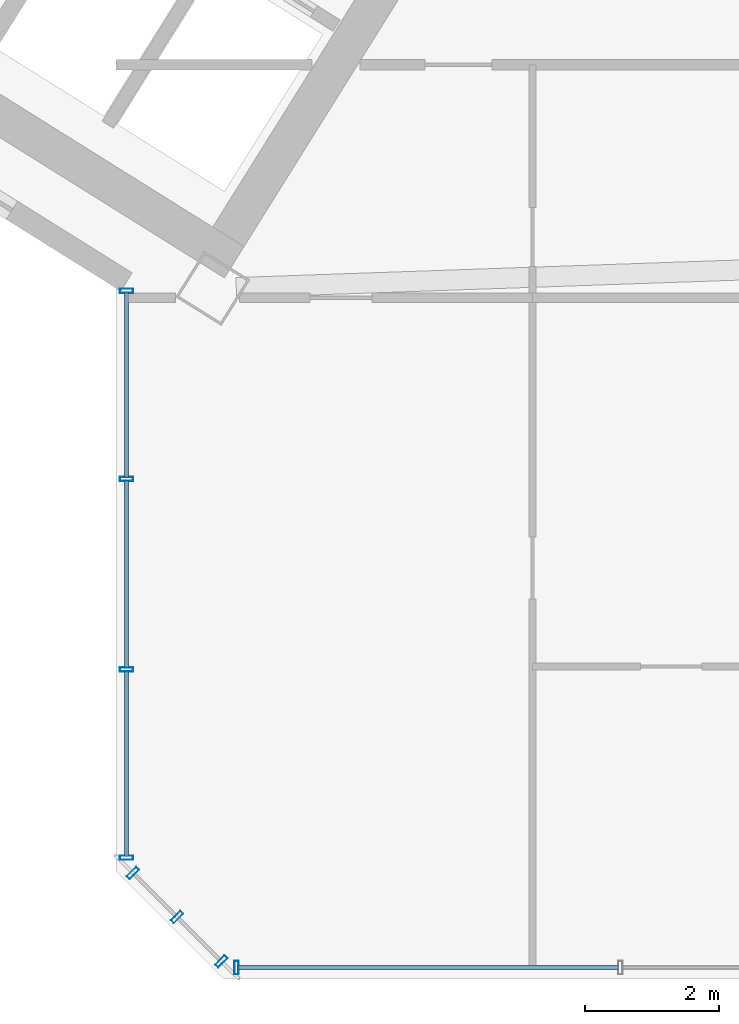
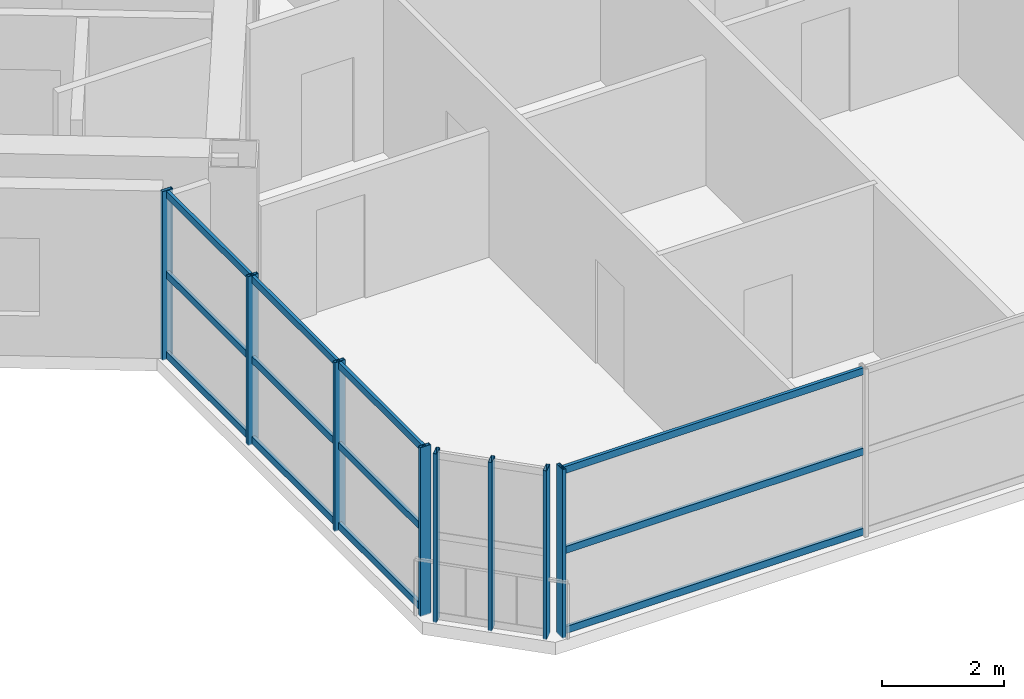
# One storey, part 4 of 20: 20 members, 3 elements without a shape of their own.
"""IFC4 building model written with IfcOpenShell, lengths in metres."""

from ifc_helpers import new_model, si_unit, direction, frame, origin, origin_2d, place, context, subcontext, project, spatial, hollow_rectangle, extrude, source, transform, mapped, material, material_profile, profile_set, type_object, element, aggregate, save


model = new_model("IFC4")

# Units and contexts
model_context = context("Model", 3, precision=1e-05, world=origin(), true_north=direction((0.0, 1.0)))
body_context = subcontext(model_context, "Body", "Model", "MODEL_VIEW")
ifc_project = project(units=[si_unit("LENGTHUNIT", "METRE"), si_unit("AREAUNIT", "SQUARE_METRE"), si_unit("VOLUMEUNIT", "CUBIC_METRE"), si_unit("PLANEANGLEUNIT", "RADIAN"), si_unit("MASSUNIT", "GRAM", prefix="KILO")], contexts=[model_context])

# Site, building, storey
site_placement = place(None, origin())
site = spatial("IfcSite", under=ifc_project, at=site_placement, CompositionType="ELEMENT")
building_placement = place(site_placement, origin())
building = spatial("IfcBuilding", under=site, at=building_placement, Name="Tlacorven Tower", CompositionType="ELEMENT")
storey_placement = place(building_placement, frame((0.0, 0.0, 187.800048828125)))
storey = spatial("IfcBuildingStorey", under=building, at=storey_placement, Name="L47", CompositionType="ELEMENT", Elevation=187.800048828125)

# Curtain wall, member
ifc_material_1 = material(Name="Dark solar low-E double glazing in aluminium frame", Category="aluminium")
curtain_wall_type = type_object("IfcCurtainWallType", Name="CW-TWR-MID", PredefinedType="USERDEFINED", material=ifc_material_1)
curtain_wall_1_placement = place(storey_placement, origin())
curtain_wall_1 = element("IfcCurtainWall", 1, at=curtain_wall_1_placement, inside=storey, type_object=curtain_wall_type, Name="L47 CW-TWR-MID Curtain Wall 217", ObjectType="UNITISED CURTAIN WALL", PredefinedType="USERDEFINED")
ifc_material_2 = material(Name="Aluminium 6063-T6 anodised", Category="aluminium")
ifc_material_profile_1 = material_profile(ifc_material_2, hollow_rectangle(XDim=0.06494140625, YDim=0.199951171875, WallThickness=0.00439453125, at=origin_2d()), Name="ALU MULLION 65X200")
ifc_profile_set_1 = profile_set([ifc_material_profile_1], Name="Aluminium 6063-T6 anodised")
member_type_1 = type_object("IfcMemberType", Name="CWM-02", PredefinedType="MULLION", material=ifc_profile_set_1)
shared_shape_1 = source(origin(), body_context, "Body", "SweptSolid", [
    extrude(hollow_rectangle(XDim=0.06494140625, YDim=0.199951171875, WallThickness=0.00439453125, at=origin_2d()), origin(), (0.0, 0.0, 1.0), 3.3798828125),
])
member_1_placement = place(storey_placement, frame((33.398681640625, 1.9599609375, -0.02001953125), z_axis=(0.0, 0.0, 1.0), x_axis=(-1.0, 0.0, 0.0)))
member_1 = element("IfcMember", 2, at=member_1_placement, type_object=member_type_1, Name="CW-L47-217 Mullion 4", PredefinedType="MULLION", context=body_context, shape_type="MappedRepresentation", body=[
    mapped(shared_shape_1, transform((0.0, 0.0, 0.0), scale=1.0)),
])

# Curtain wall, members
curtain_wall_2_placement = place(storey_placement, origin())
curtain_wall_2 = element("IfcCurtainWall", 3, at=curtain_wall_2_placement, inside=storey, type_object=curtain_wall_type, Name="L47 CW-TWR-MID Curtain Wall 218", ObjectType="UNITISED CURTAIN WALL", PredefinedType="USERDEFINED")
member_2_placement = place(storey_placement, frame((33.172607421875, 2.0537109375, -0.02001953125), z_axis=(0.0, 0.0, 1.0), x_axis=(-0.707106781187, 0.707106781187, 0.0)))
member_2 = element("IfcMember", 4, at=member_2_placement, type_object=member_type_1, Name="CW-L47-218 Mullion 1", PredefinedType="MULLION", context=body_context, shape_type="MappedRepresentation", body=[
    mapped(shared_shape_1, transform((0.0, 0.0, 0.0), scale=1.0)),
])
member_3_placement = place(storey_placement, frame((32.51318359375, 2.713134765625, -0.02001953125), z_axis=(0.0, 0.0, 1.0), x_axis=(-0.707106781187, 0.707106781187, 0.0)))
member_3 = element("IfcMember", 5, at=member_3_placement, type_object=member_type_1, Name="CW-L47-218 Mullion 2", PredefinedType="MULLION", context=body_context, shape_type="MappedRepresentation", body=[
    mapped(shared_shape_1, transform((0.0, 0.0, 0.0), scale=1.0)),
])
member_4_placement = place(storey_placement, frame((31.853759765625, 3.37255859375, -0.02001953125), z_axis=(0.0, 0.0, 1.0), x_axis=(-0.707106781187, 0.707106781187, 0.0)))
member_4 = element("IfcMember", 6, at=member_4_placement, type_object=member_type_1, Name="CW-L47-218 Mullion 3", PredefinedType="MULLION", context=body_context, shape_type="MappedRepresentation", body=[
    mapped(shared_shape_1, transform((0.0, 0.0, 0.0), scale=1.0)),
])
aggregate(curtain_wall_2, [member_2, member_3, member_4])

curtain_wall_3_placement = place(storey_placement, origin())
curtain_wall_3 = element("IfcCurtainWall", 7, at=curtain_wall_3_placement, inside=storey, type_object=curtain_wall_type, Name="L47 CW-TWR-MID Curtain Wall 219", ObjectType="UNITISED CURTAIN WALL", PredefinedType="USERDEFINED")
member_5_placement = place(storey_placement, frame((31.760009765625, 3.598876953125, -0.02001953125), z_axis=(0.0, 0.0, 1.0), x_axis=(0.0, 1.0, 0.0)))
member_5 = element("IfcMember", 8, at=member_5_placement, type_object=member_type_1, Name="CW-L47-219 Mullion 1", PredefinedType="MULLION", context=body_context, shape_type="MappedRepresentation", body=[
    mapped(shared_shape_1, transform((0.0, 0.0, 0.0), scale=1.0)),
])
member_6_placement = place(storey_placement, frame((31.760009765625, 6.4052734375, -0.02001953125), z_axis=(0.0, 0.0, 1.0), x_axis=(0.0, 1.0, 0.0)))
member_6 = element("IfcMember", 9, at=member_6_placement, type_object=member_type_1, Name="CW-L47-219 Mullion 2", PredefinedType="MULLION", context=body_context, shape_type="MappedRepresentation", body=[
    mapped(shared_shape_1, transform((0.0, 0.0, 0.0), scale=1.0)),
])
member_7_placement = place(storey_placement, frame((31.760009765625, 9.244140625, -0.02001953125), z_axis=(0.0, 0.0, 1.0), x_axis=(0.0, 1.0, 0.0)))
member_7 = element("IfcMember", 10, at=member_7_placement, type_object=member_type_1, Name="CW-L47-219 Mullion 3", PredefinedType="MULLION", context=body_context, shape_type="MappedRepresentation", body=[
    mapped(shared_shape_1, transform((0.0, 0.0, 0.0), scale=1.0)),
])
member_8_placement = place(storey_placement, frame((31.760009765625, 12.050537109375, -0.02001953125), z_axis=(0.0, 0.0, 1.0), x_axis=(0.0, 1.0, 0.0)))
member_8 = element("IfcMember", 11, at=member_8_placement, type_object=member_type_1, Name="CW-L47-219 Mullion 4", PredefinedType="MULLION", context=body_context, shape_type="MappedRepresentation", body=[
    mapped(shared_shape_1, transform((0.0, 0.0, 0.0), scale=1.0)),
])

# Member
ifc_material_profile_2 = material_profile(ifc_material_2, hollow_rectangle(XDim=0.06005859375, YDim=0.139892578125, WallThickness=0.00390625, at=origin_2d()), Name="ALU TRANSOM 60X140")
ifc_profile_set_2 = profile_set([ifc_material_profile_2], Name="Aluminium 6063-T6 anodised")
member_type_2 = type_object("IfcMemberType", Name="CWT-02", PredefinedType="USERDEFINED", material=ifc_profile_set_2)
shared_shape_2 = source(origin(), body_context, "Body", "SweptSolid", [
    extrude(hollow_rectangle(XDim=0.06005859375, YDim=0.139892578125, WallThickness=0.00390625, at=origin_2d()), origin(), (0.0, 0.0, 1.0), 5.682373046875),
])
member_9_placement = place(storey_placement, frame((39.1015625, 1.9599609375, 0.070068359375), z_axis=(-1.0, 0.0, 0.0), x_axis=(0.0, -1.0, 0.0)))
member_9 = element("IfcMember", 12, at=member_9_placement, type_object=member_type_2, Name="CW-L47-217 Transom 7", ObjectType="TRANSOM", PredefinedType="USERDEFINED", context=body_context, shape_type="MappedRepresentation", body=[
    mapped(shared_shape_2, transform((0.0, 0.0, 0.0), scale=1.0)),
])

member_10_placement = place(storey_placement, frame((39.1015625, 1.9599609375, 1.675048828125), z_axis=(-1.0, 0.0, 0.0), x_axis=(0.0, -1.0, 0.0)))
member_10 = element("IfcMember", 13, at=member_10_placement, type_object=member_type_2, Name="CW-L47-217 Transom 8", ObjectType="TRANSOM", PredefinedType="USERDEFINED", context=body_context, shape_type="MappedRepresentation", body=[
    mapped(shared_shape_2, transform((0.0, 0.0, 0.0), scale=1.0)),
])

member_11_placement = place(storey_placement, frame((39.1015625, 1.9599609375, 3.280029296875), z_axis=(-1.0, 0.0, 0.0), x_axis=(0.0, -1.0, 0.0)))
member_11 = element("IfcMember", 14, at=member_11_placement, type_object=member_type_2, Name="CW-L47-217 Transom 9", ObjectType="TRANSOM", PredefinedType="USERDEFINED", context=body_context, shape_type="MappedRepresentation", body=[
    mapped(shared_shape_2, transform((0.0, 0.0, 0.0), scale=1.0)),
])

aggregate(curtain_wall_1, [member_1, member_9, member_10, member_11])

shared_shape_3 = source(origin(), body_context, "Body", "SweptSolid", [
    extrude(hollow_rectangle(XDim=0.06005859375, YDim=0.139892578125, WallThickness=0.00390625, at=origin_2d()), origin(), (0.0, 0.0, 1.0), 2.765380859375),
])
member_12_placement = place(storey_placement, frame((31.760009765625, 3.619384765625, 0.070068359375), z_axis=(0.0, 1.0, 0.0), x_axis=(-1.0, 0.0, 0.0)))
member_12 = element("IfcMember", 15, at=member_12_placement, type_object=member_type_2, Name="CW-L47-219 Transom 1", ObjectType="TRANSOM", PredefinedType="USERDEFINED", context=body_context, shape_type="MappedRepresentation", body=[
    mapped(shared_shape_3, transform((0.0, 0.0, 0.0), scale=1.0)),
])

member_13_placement = place(storey_placement, frame((31.760009765625, 3.619384765625, 1.675048828125), z_axis=(0.0, 1.0, 0.0), x_axis=(-1.0, 0.0, 0.0)))
member_13 = element("IfcMember", 16, at=member_13_placement, type_object=member_type_2, Name="CW-L47-219 Transom 2", ObjectType="TRANSOM", PredefinedType="USERDEFINED", context=body_context, shape_type="MappedRepresentation", body=[
    mapped(shared_shape_3, transform((0.0, 0.0, 0.0), scale=1.0)),
])

member_14_placement = place(storey_placement, frame((31.760009765625, 3.619384765625, 3.280029296875), z_axis=(0.0, 1.0, 0.0), x_axis=(-1.0, 0.0, 0.0)))
member_14 = element("IfcMember", 17, at=member_14_placement, type_object=member_type_2, Name="CW-L47-219 Transom 3", ObjectType="TRANSOM", PredefinedType="USERDEFINED", context=body_context, shape_type="MappedRepresentation", body=[
    mapped(shared_shape_3, transform((0.0, 0.0, 0.0), scale=1.0)),
])

member_15_placement = place(storey_placement, frame((31.760009765625, 9.2646484375, 0.070068359375), z_axis=(0.0, 1.0, 0.0), x_axis=(-1.0, 0.0, 0.0)))
member_15 = element("IfcMember", 18, at=member_15_placement, type_object=member_type_2, Name="CW-L47-219 Transom 7", ObjectType="TRANSOM", PredefinedType="USERDEFINED", context=body_context, shape_type="MappedRepresentation", body=[
    mapped(shared_shape_3, transform((0.0, 0.0, 0.0), scale=1.0)),
])

member_16_placement = place(storey_placement, frame((31.760009765625, 9.2646484375, 1.675048828125), z_axis=(0.0, 1.0, 0.0), x_axis=(-1.0, 0.0, 0.0)))
member_16 = element("IfcMember", 19, at=member_16_placement, type_object=member_type_2, Name="CW-L47-219 Transom 8", ObjectType="TRANSOM", PredefinedType="USERDEFINED", context=body_context, shape_type="MappedRepresentation", body=[
    mapped(shared_shape_3, transform((0.0, 0.0, 0.0), scale=1.0)),
])

member_17_placement = place(storey_placement, frame((31.760009765625, 9.2646484375, 3.280029296875), z_axis=(0.0, 1.0, 0.0), x_axis=(-1.0, 0.0, 0.0)))
member_17 = element("IfcMember", 20, at=member_17_placement, type_object=member_type_2, Name="CW-L47-219 Transom 9", ObjectType="TRANSOM", PredefinedType="USERDEFINED", context=body_context, shape_type="MappedRepresentation", body=[
    mapped(shared_shape_3, transform((0.0, 0.0, 0.0), scale=1.0)),
])

shared_shape_4 = source(origin(), body_context, "Body", "SweptSolid", [
    extrude(hollow_rectangle(XDim=0.06005859375, YDim=0.139892578125, WallThickness=0.00390625, at=origin_2d()), origin(), (0.0, 0.0, 1.0), 2.7978515625),
])
member_18_placement = place(storey_placement, frame((31.760009765625, 6.42578125, 0.070068359375), z_axis=(0.0, 1.0, 0.0), x_axis=(-1.0, 0.0, 0.0)))
member_18 = element("IfcMember", 21, at=member_18_placement, type_object=member_type_2, Name="CW-L47-219 Transom 4", ObjectType="TRANSOM", PredefinedType="USERDEFINED", context=body_context, shape_type="MappedRepresentation", body=[
    mapped(shared_shape_4, transform((0.0, 0.0, 0.0), scale=1.0)),
])

member_19_placement = place(storey_placement, frame((31.760009765625, 6.42578125, 1.675048828125), z_axis=(0.0, 1.0, 0.0), x_axis=(-1.0, 0.0, 0.0)))
member_19 = element("IfcMember", 22, at=member_19_placement, type_object=member_type_2, Name="CW-L47-219 Transom 5", ObjectType="TRANSOM", PredefinedType="USERDEFINED", context=body_context, shape_type="MappedRepresentation", body=[
    mapped(shared_shape_4, transform((0.0, 0.0, 0.0), scale=1.0)),
])

member_20_placement = place(storey_placement, frame((31.760009765625, 6.42578125, 3.280029296875), z_axis=(0.0, 1.0, 0.0), x_axis=(-1.0, 0.0, 0.0)))
member_20 = element("IfcMember", 23, at=member_20_placement, type_object=member_type_2, Name="CW-L47-219 Transom 6", ObjectType="TRANSOM", PredefinedType="USERDEFINED", context=body_context, shape_type="MappedRepresentation", body=[
    mapped(shared_shape_4, transform((0.0, 0.0, 0.0), scale=1.0)),
])

aggregate(curtain_wall_3, [member_5, member_6, member_7, member_8, member_12, member_13, member_14, member_18, member_19, member_20, member_15, member_16, member_17])

save(model, "model.ifc")
